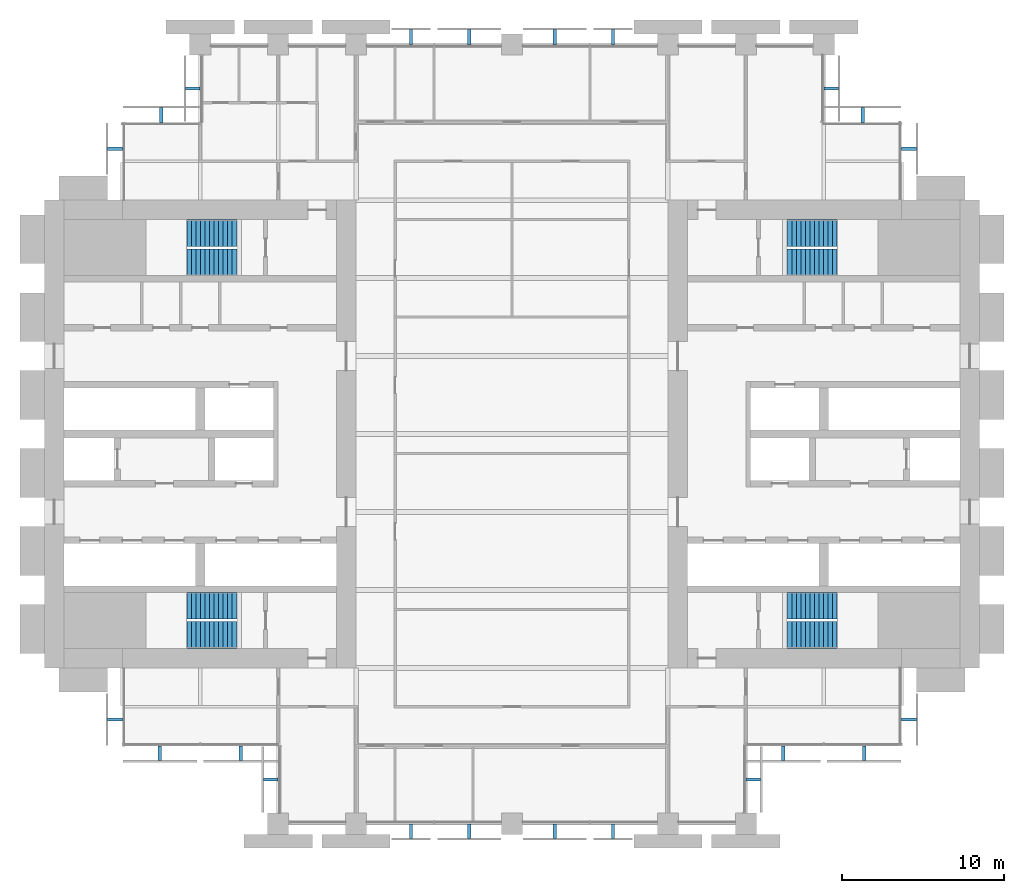
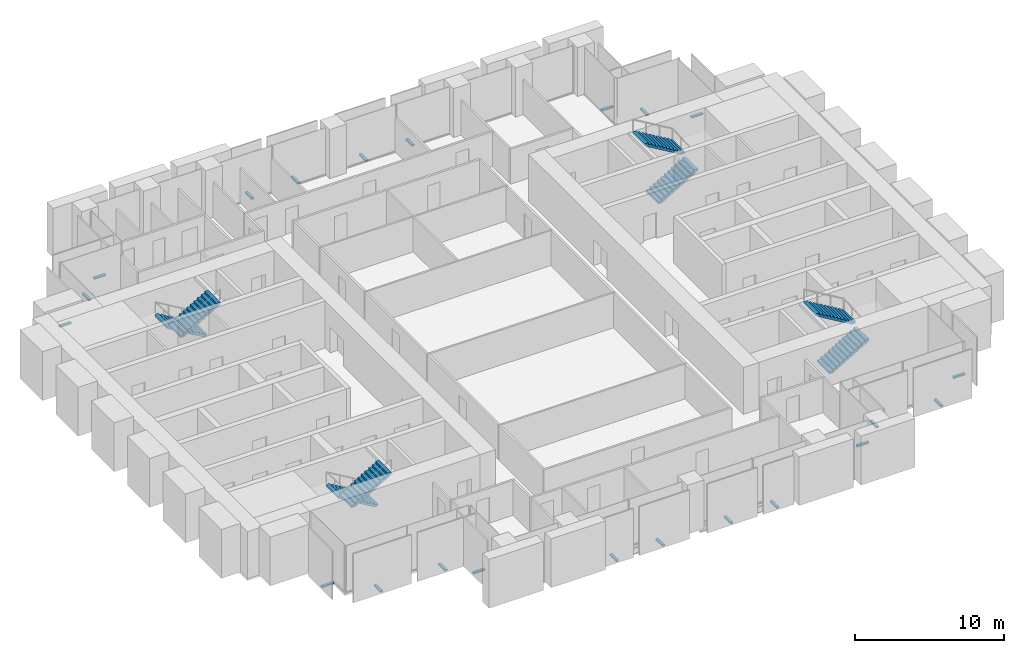
# One storey, part 13 of 14: 22 discrete accessories, 8 stair flights, 4 elements without a shape of their own.
"""IFC4 building model written with IfcOpenShell, lengths in metres."""

from ifc_helpers import new_model, si_unit, direction, frame, origin, origin_2d, place, context, subcontext, project, spatial, polyline, rectangle, outline, extrude, material, type_object, element, aggregate, save


model = new_model("IFC4")

# Units and contexts
model_context = context("Model", 3, precision=1e-05, world=origin(), true_north=direction((0.0, 1.0)))
body_context = subcontext(model_context, "Body", "Model", "MODEL_VIEW")
ifc_project = project(units=[si_unit("LENGTHUNIT", "METRE"), si_unit("AREAUNIT", "SQUARE_METRE"), si_unit("VOLUMEUNIT", "CUBIC_METRE"), si_unit("PLANEANGLEUNIT", "RADIAN"), si_unit("MASSUNIT", "GRAM", prefix="KILO")], contexts=[model_context])

# Site, building, storey
site_placement = place(None, origin())
site = spatial("IfcSite", under=ifc_project, at=site_placement, CompositionType="ELEMENT")
building_placement = place(site_placement, origin())
building = spatial("IfcBuilding", under=site, at=building_placement, Name="Baori Bourse Tower", CompositionType="ELEMENT")
storey_placement = place(building_placement, frame((0.0, 0.0, 67.0)))
storey = spatial("IfcBuildingStorey", under=building, at=storey_placement, Name="L14", CompositionType="ELEMENT", Elevation=67.0)

# Stair, stair flights
ifc_material_1 = material(Name="Concrete f'c 50 MPa", Category="concrete")
stair_type = type_object("IfcStairType", Name="Core stair", PredefinedType="HALF_TURN_STAIR", material=ifc_material_1)
stair_1_placement = place(storey_placement, origin())
stair_1 = element("IfcStair", 1, at=stair_1_placement, inside=storey, type_object=stair_type, Name="L14 Stair WA", PredefinedType="HALF_TURN_STAIR")
ifc_material_2 = material(Name="Concrete f'c 50 MPa", Category="concrete")
stair_flight_type = type_object("IfcStairFlightType", Name="Core stair flight", PredefinedType="STRAIGHT", material=ifc_material_2)
stair_flight_1_placement = place(storey_placement, frame((11.85009765625, 13.425048828125, 0.0), z_axis=(0.0, 0.0, 1.0), x_axis=(-1.0, 0.0, 0.0)))
stair_flight_1 = element("IfcStairFlight", 2, at=stair_flight_1_placement, type_object=stair_flight_type, Name="ST1 flight 1", NumberOfRisers=12, NumberOfTreads=11, PredefinedType="STRAIGHT", RiserHeight=0.166666667, TreadLength=0.28, context=body_context, shape_type="SweptSolid", body=[
    extrude(outline(polyline([(0.0, 0.0), (0.0, 0.166748046875), (0.280029296875, 0.166748046875), (0.280029296875, 0.333251953125), (0.56005859375, 0.333251953125), (0.56005859375, 0.5), (0.840087890625, 0.5), (0.840087890625, 0.666748046875), (1.1201171875, 0.666748046875), (1.1201171875, 0.833251953125), (1.39990234375, 0.833251953125), (1.39990234375, 1.0), (1.679931640625, 1.0), (1.679931640625, 1.166748046875), (1.9599609375, 1.166748046875), (1.9599609375, 1.333251953125), (2.239990234375, 1.333251953125), (2.239990234375, 1.5), (2.52001953125, 1.5), (2.52001953125, 1.666748046875), (2.800048828125, 1.666748046875), (2.800048828125, 1.833251953125), (3.080078125, 1.833251953125), (3.080078125, 2.0), (3.080078125, 1.658935546875), (0.29296875, 0.0), (0.0, 0.0)])), frame((0.0, 0.824951171875, 0.0), z_axis=(0.0, -1.0, 0.0), x_axis=(1.0, 0.0, 0.0)), (0.0, 0.0, 1.0), 1.64990234375),
])
stair_flight_2_placement = place(storey_placement, frame((8.77001953125, 11.625, 2.0), z_axis=(0.0, 0.0, 1.0), x_axis=(1.0, 0.0, 0.0)))
stair_flight_2 = element("IfcStairFlight", 3, at=stair_flight_2_placement, type_object=stair_flight_type, Name="ST1 flight 2", NumberOfRisers=12, NumberOfTreads=11, PredefinedType="STRAIGHT", RiserHeight=0.166666667, TreadLength=0.28, context=body_context, shape_type="SweptSolid", body=[
    extrude(outline(polyline([(0.0, 0.0), (0.0, 0.166748046875), (0.280029296875, 0.166748046875), (0.280029296875, 0.333251953125), (0.56005859375, 0.333251953125), (0.56005859375, 0.5), (0.840087890625, 0.5), (0.840087890625, 0.666748046875), (1.1201171875, 0.666748046875), (1.1201171875, 0.833251953125), (1.39990234375, 0.833251953125), (1.39990234375, 1.0), (1.679931640625, 1.0), (1.679931640625, 1.166748046875), (1.9599609375, 1.166748046875), (1.9599609375, 1.333251953125), (2.239990234375, 1.333251953125), (2.239990234375, 1.5), (2.52001953125, 1.5), (2.52001953125, 1.666748046875), (2.800048828125, 1.666748046875), (2.800048828125, 1.833251953125), (3.080078125, 1.833251953125), (3.080078125, 2.0), (3.080078125, 1.658935546875), (0.29296875, 0.0), (0.0, 0.0)])), frame((0.0, 0.824951171875, 0.0), z_axis=(0.0, -1.0, 0.0), x_axis=(1.0, 0.0, 0.0)), (0.0, 0.0, 1.0), 1.64990234375),
])
aggregate(stair_1, [stair_flight_1, stair_flight_2])

stair_2_placement = place(storey_placement, origin())
stair_2 = element("IfcStair", 4, at=stair_2_placement, inside=storey, type_object=stair_type, Name="L14 Stair WB", PredefinedType="HALF_TURN_STAIR")
stair_flight_3_placement = place(storey_placement, frame((11.85009765625, 36.375, 0.0), z_axis=(0.0, 0.0, 1.0), x_axis=(-1.0, 0.0, 0.0)))
stair_flight_3 = element("IfcStairFlight", 5, at=stair_flight_3_placement, type_object=stair_flight_type, Name="ST2 flight 1", NumberOfRisers=12, NumberOfTreads=11, PredefinedType="STRAIGHT", RiserHeight=0.166666667, TreadLength=0.28, context=body_context, shape_type="SweptSolid", body=[
    extrude(outline(polyline([(0.0, 0.0), (0.0, 0.166748046875), (0.280029296875, 0.166748046875), (0.280029296875, 0.333251953125), (0.56005859375, 0.333251953125), (0.56005859375, 0.5), (0.840087890625, 0.5), (0.840087890625, 0.666748046875), (1.1201171875, 0.666748046875), (1.1201171875, 0.833251953125), (1.39990234375, 0.833251953125), (1.39990234375, 1.0), (1.679931640625, 1.0), (1.679931640625, 1.166748046875), (1.9599609375, 1.166748046875), (1.9599609375, 1.333251953125), (2.239990234375, 1.333251953125), (2.239990234375, 1.5), (2.52001953125, 1.5), (2.52001953125, 1.666748046875), (2.800048828125, 1.666748046875), (2.800048828125, 1.833251953125), (3.080078125, 1.833251953125), (3.080078125, 2.0), (3.080078125, 1.658935546875), (0.29296875, 0.0), (0.0, 0.0)])), frame((0.0, 0.824951171875, 0.0), z_axis=(0.0, -1.0, 0.0), x_axis=(1.0, 0.0, 0.0)), (0.0, 0.0, 1.0), 1.64990234375),
])
stair_flight_4_placement = place(storey_placement, frame((8.77001953125, 34.574951171875, 2.0), z_axis=(0.0, 0.0, 1.0), x_axis=(1.0, 0.0, 0.0)))
stair_flight_4 = element("IfcStairFlight", 6, at=stair_flight_4_placement, type_object=stair_flight_type, Name="ST2 flight 2", NumberOfRisers=12, NumberOfTreads=11, PredefinedType="STRAIGHT", RiserHeight=0.166666667, TreadLength=0.28, context=body_context, shape_type="SweptSolid", body=[
    extrude(outline(polyline([(0.0, 0.0), (0.0, 0.166748046875), (0.280029296875, 0.166748046875), (0.280029296875, 0.333251953125), (0.56005859375, 0.333251953125), (0.56005859375, 0.5), (0.840087890625, 0.5), (0.840087890625, 0.666748046875), (1.1201171875, 0.666748046875), (1.1201171875, 0.833251953125), (1.39990234375, 0.833251953125), (1.39990234375, 1.0), (1.679931640625, 1.0), (1.679931640625, 1.166748046875), (1.9599609375, 1.166748046875), (1.9599609375, 1.333251953125), (2.239990234375, 1.333251953125), (2.239990234375, 1.5), (2.52001953125, 1.5), (2.52001953125, 1.666748046875), (2.800048828125, 1.666748046875), (2.800048828125, 1.833251953125), (3.080078125, 1.833251953125), (3.080078125, 2.0), (3.080078125, 1.658935546875), (0.29296875, 0.0), (0.0, 0.0)])), frame((0.0, 0.824951171875, 0.0), z_axis=(0.0, -1.0, 0.0), x_axis=(1.0, 0.0, 0.0)), (0.0, 0.0, 1.0), 1.64990234375),
])
aggregate(stair_2, [stair_flight_3, stair_flight_4])

stair_3_placement = place(storey_placement, origin())
stair_3 = element("IfcStair", 7, at=stair_3_placement, inside=storey, type_object=stair_type, Name="L14 Stair EA", PredefinedType="HALF_TURN_STAIR")
stair_flight_5_placement = place(storey_placement, frame((45.75, 11.625, 0.0), z_axis=(0.0, 0.0, 1.0), x_axis=(1.0, 0.0, 0.0)))
stair_flight_5 = element("IfcStairFlight", 8, at=stair_flight_5_placement, type_object=stair_flight_type, Name="ST3 flight 1", NumberOfRisers=12, NumberOfTreads=11, PredefinedType="STRAIGHT", RiserHeight=0.166666667, TreadLength=0.28, context=body_context, shape_type="SweptSolid", body=[
    extrude(outline(polyline([(0.0, 0.0), (0.0, 0.166748046875), (0.280029296875, 0.166748046875), (0.280029296875, 0.333251953125), (0.56005859375, 0.333251953125), (0.56005859375, 0.5), (0.840087890625, 0.5), (0.840087890625, 0.666748046875), (1.1201171875, 0.666748046875), (1.1201171875, 0.833251953125), (1.39990234375, 0.833251953125), (1.39990234375, 1.0), (1.679931640625, 1.0), (1.679931640625, 1.166748046875), (1.9599609375, 1.166748046875), (1.9599609375, 1.333251953125), (2.239990234375, 1.333251953125), (2.239990234375, 1.5), (2.52001953125, 1.5), (2.52001953125, 1.666748046875), (2.800048828125, 1.666748046875), (2.800048828125, 1.833251953125), (3.080078125, 1.833251953125), (3.080078125, 2.0), (3.080078125, 1.658935546875), (0.29296875, 0.0), (0.0, 0.0)])), frame((0.0, 0.824951171875, 0.0), z_axis=(0.0, -1.0, 0.0), x_axis=(1.0, 0.0, 0.0)), (0.0, 0.0, 1.0), 1.64990234375),
])
stair_flight_6_placement = place(storey_placement, frame((48.830078125, 13.425048828125, 2.0), z_axis=(0.0, 0.0, 1.0), x_axis=(-1.0, 0.0, 0.0)))
stair_flight_6 = element("IfcStairFlight", 9, at=stair_flight_6_placement, type_object=stair_flight_type, Name="ST3 flight 2", NumberOfRisers=12, NumberOfTreads=11, PredefinedType="STRAIGHT", RiserHeight=0.166666667, TreadLength=0.28, context=body_context, shape_type="SweptSolid", body=[
    extrude(outline(polyline([(0.0, 0.0), (0.0, 0.166748046875), (0.280029296875, 0.166748046875), (0.280029296875, 0.333251953125), (0.56005859375, 0.333251953125), (0.56005859375, 0.5), (0.840087890625, 0.5), (0.840087890625, 0.666748046875), (1.1201171875, 0.666748046875), (1.1201171875, 0.833251953125), (1.39990234375, 0.833251953125), (1.39990234375, 1.0), (1.679931640625, 1.0), (1.679931640625, 1.166748046875), (1.9599609375, 1.166748046875), (1.9599609375, 1.333251953125), (2.239990234375, 1.333251953125), (2.239990234375, 1.5), (2.52001953125, 1.5), (2.52001953125, 1.666748046875), (2.800048828125, 1.666748046875), (2.800048828125, 1.833251953125), (3.080078125, 1.833251953125), (3.080078125, 2.0), (3.080078125, 1.658935546875), (0.29296875, 0.0), (0.0, 0.0)])), frame((0.0, 0.824951171875, 0.0), z_axis=(0.0, -1.0, 0.0), x_axis=(1.0, 0.0, 0.0)), (0.0, 0.0, 1.0), 1.64990234375),
])
aggregate(stair_3, [stair_flight_5, stair_flight_6])

stair_4_placement = place(storey_placement, origin())
stair_4 = element("IfcStair", 10, at=stair_4_placement, inside=storey, type_object=stair_type, Name="L14 Stair EB", PredefinedType="HALF_TURN_STAIR")
stair_flight_7_placement = place(storey_placement, frame((45.75, 34.574951171875, 0.0), z_axis=(0.0, 0.0, 1.0), x_axis=(1.0, 0.0, 0.0)))
stair_flight_7 = element("IfcStairFlight", 11, at=stair_flight_7_placement, type_object=stair_flight_type, Name="ST4 flight 1", NumberOfRisers=12, NumberOfTreads=11, PredefinedType="STRAIGHT", RiserHeight=0.166666667, TreadLength=0.28, context=body_context, shape_type="SweptSolid", body=[
    extrude(outline(polyline([(0.0, 0.0), (0.0, 0.166748046875), (0.280029296875, 0.166748046875), (0.280029296875, 0.333251953125), (0.56005859375, 0.333251953125), (0.56005859375, 0.5), (0.840087890625, 0.5), (0.840087890625, 0.666748046875), (1.1201171875, 0.666748046875), (1.1201171875, 0.833251953125), (1.39990234375, 0.833251953125), (1.39990234375, 1.0), (1.679931640625, 1.0), (1.679931640625, 1.166748046875), (1.9599609375, 1.166748046875), (1.9599609375, 1.333251953125), (2.239990234375, 1.333251953125), (2.239990234375, 1.5), (2.52001953125, 1.5), (2.52001953125, 1.666748046875), (2.800048828125, 1.666748046875), (2.800048828125, 1.833251953125), (3.080078125, 1.833251953125), (3.080078125, 2.0), (3.080078125, 1.658935546875), (0.29296875, 0.0), (0.0, 0.0)])), frame((0.0, 0.824951171875, 0.0), z_axis=(0.0, -1.0, 0.0), x_axis=(1.0, 0.0, 0.0)), (0.0, 0.0, 1.0), 1.64990234375),
])
stair_flight_8_placement = place(storey_placement, frame((48.830078125, 36.375, 2.0), z_axis=(0.0, 0.0, 1.0), x_axis=(-1.0, 0.0, 0.0)))
stair_flight_8 = element("IfcStairFlight", 12, at=stair_flight_8_placement, type_object=stair_flight_type, Name="ST4 flight 2", NumberOfRisers=12, NumberOfTreads=11, PredefinedType="STRAIGHT", RiserHeight=0.166666667, TreadLength=0.28, context=body_context, shape_type="SweptSolid", body=[
    extrude(outline(polyline([(0.0, 0.0), (0.0, 0.166748046875), (0.280029296875, 0.166748046875), (0.280029296875, 0.333251953125), (0.56005859375, 0.333251953125), (0.56005859375, 0.5), (0.840087890625, 0.5), (0.840087890625, 0.666748046875), (1.1201171875, 0.666748046875), (1.1201171875, 0.833251953125), (1.39990234375, 0.833251953125), (1.39990234375, 1.0), (1.679931640625, 1.0), (1.679931640625, 1.166748046875), (1.9599609375, 1.166748046875), (1.9599609375, 1.333251953125), (2.239990234375, 1.333251953125), (2.239990234375, 1.5), (2.52001953125, 1.5), (2.52001953125, 1.666748046875), (2.800048828125, 1.666748046875), (2.800048828125, 1.833251953125), (3.080078125, 1.833251953125), (3.080078125, 2.0), (3.080078125, 1.658935546875), (0.29296875, 0.0), (0.0, 0.0)])), frame((0.0, 0.824951171875, 0.0), z_axis=(0.0, -1.0, 0.0), x_axis=(1.0, 0.0, 0.0)), (0.0, 0.0, 1.0), 1.64990234375),
])
aggregate(stair_4, [stair_flight_7, stair_flight_8])

# Discrete accessories
ifc_material_3 = material(Name="Pale anodised aluminium", Category="aluminium")
discrete_accessory_type = type_object("IfcDiscreteAccessoryType", Name="OS2 Outer skin bracket", PredefinedType="BRACKET", material=ifc_material_3)
for number, where, z_axis, x_axis, name in (
    (13, (53.25, 41.574951171875, -0.14404296875), (0.0, 0.0, 1.0), (0.0, 1.0, 0.0), "Outer skin bracket L14 1"),
    (14, (50.39990234375, 43.64990234375, -0.14404296875), (0.0, 0.0, 1.0), (-1.0, 0.0, 0.0), "Outer skin bracket L14 2"),
    (15, (48.449951171875, 45.27490234375, -0.14404296875), (0.0, 0.0, 1.0), (0.0, 1.0, 0.0), "Outer skin bracket L14 3"),
    (16, (35.012451171875, 48.449951171875, -0.14404296875), (0.0, 0.0, 1.0), (-1.0, 0.0, 0.0), "Outer skin bracket L14 4"),
    (17, (31.4375, 48.449951171875, -0.14404296875), (0.0, 0.0, 1.0), (-1.0, 0.0, 0.0), "Outer skin bracket L14 5"),
    (18, (26.16259765625, 48.449951171875, -0.14404296875), (0.0, 0.0, 1.0), (-1.0, 0.0, 0.0), "Outer skin bracket L14 6"),
    (19, (22.58740234375, 48.449951171875, -0.14404296875), (0.0, 0.0, 1.0), (-1.0, 0.0, 0.0), "Outer skin bracket L14 7"),
    (20, (9.14990234375, 45.27490234375, -0.14404296875), (0.0, 0.0, 1.0), (0.0, -1.0, 0.0), "Outer skin bracket L14 8"),
    (21, (7.199951171875, 43.64990234375, -0.14404296875), (0.0, 0.0, 1.0), (-1.0, 0.0, 0.0), "Outer skin bracket L14 9"),
    (22, (4.35009765625, 41.574951171875, -0.14404296875), (0.0, 0.0, 1.0), (0.0, -1.0, 0.0), "Outer skin bracket L14 10"),
    (23, (4.35009765625, 6.425048828125, -0.14404296875), (0.0, 0.0, 1.0), (0.0, -1.0, 0.0), "Outer skin bracket L14 11"),
    (24, (7.112548828125, 4.35009765625, -0.14404296875), (0.0, 0.0, 1.0), (1.0, 0.0, 0.0), "Outer skin bracket L14 12"),
    (25, (12.08740234375, 4.35009765625, -0.14404296875), (0.0, 0.0, 1.0), (1.0, 0.0, 0.0), "Outer skin bracket L14 13"),
    (26, (13.949951171875, 2.72509765625, -0.14404296875), (0.0, 0.0, 1.0), (0.0, -1.0, 0.0), "Outer skin bracket L14 14"),
    (27, (22.58740234375, -0.449951171875, -0.14404296875), (0.0, 0.0, 1.0), (1.0, 0.0, 0.0), "Outer skin bracket L14 15"),
    (28, (26.16259765625, -0.449951171875, -0.14404296875), (0.0, 0.0, 1.0), (1.0, 0.0, 0.0), "Outer skin bracket L14 16"),
    (29, (31.4375, -0.449951171875, -0.14404296875), (0.0, 0.0, 1.0), (1.0, 0.0, 0.0), "Outer skin bracket L14 17"),
    (30, (35.012451171875, -0.449951171875, -0.14404296875), (0.0, 0.0, 1.0), (1.0, 0.0, 0.0), "Outer skin bracket L14 18"),
    (31, (43.64990234375, 2.72509765625, -0.14404296875), (0.0, 0.0, 1.0), (0.0, 1.0, 0.0), "Outer skin bracket L14 19"),
    (32, (45.512451171875, 4.35009765625, -0.14404296875), (0.0, 0.0, 1.0), (1.0, 0.0, 0.0), "Outer skin bracket L14 20"),
    (33, (50.487548828125, 4.35009765625, -0.14404296875), (0.0, 0.0, 1.0), (1.0, 0.0, 0.0), "Outer skin bracket L14 21"),
    (34, (53.25, 6.425048828125, -0.14404296875), (0.0, 0.0, 1.0), (0.0, 1.0, 0.0), "Outer skin bracket L14 22"),
):
    element("IfcDiscreteAccessory", number, at=place(storey_placement, frame(where, z_axis=z_axis, x_axis=x_axis)), inside=storey, type_object=discrete_accessory_type, Name=name, PredefinedType="BRACKET", context=body_context, shape_type="SweptSolid", body=[
        extrude(rectangle(XDim=0.199951171875, YDim=0.89990234375, at=origin_2d()), origin(), (0.0, 0.0, 1.0), 0.1279296875),
    ])

save(model, "model.ifc")
